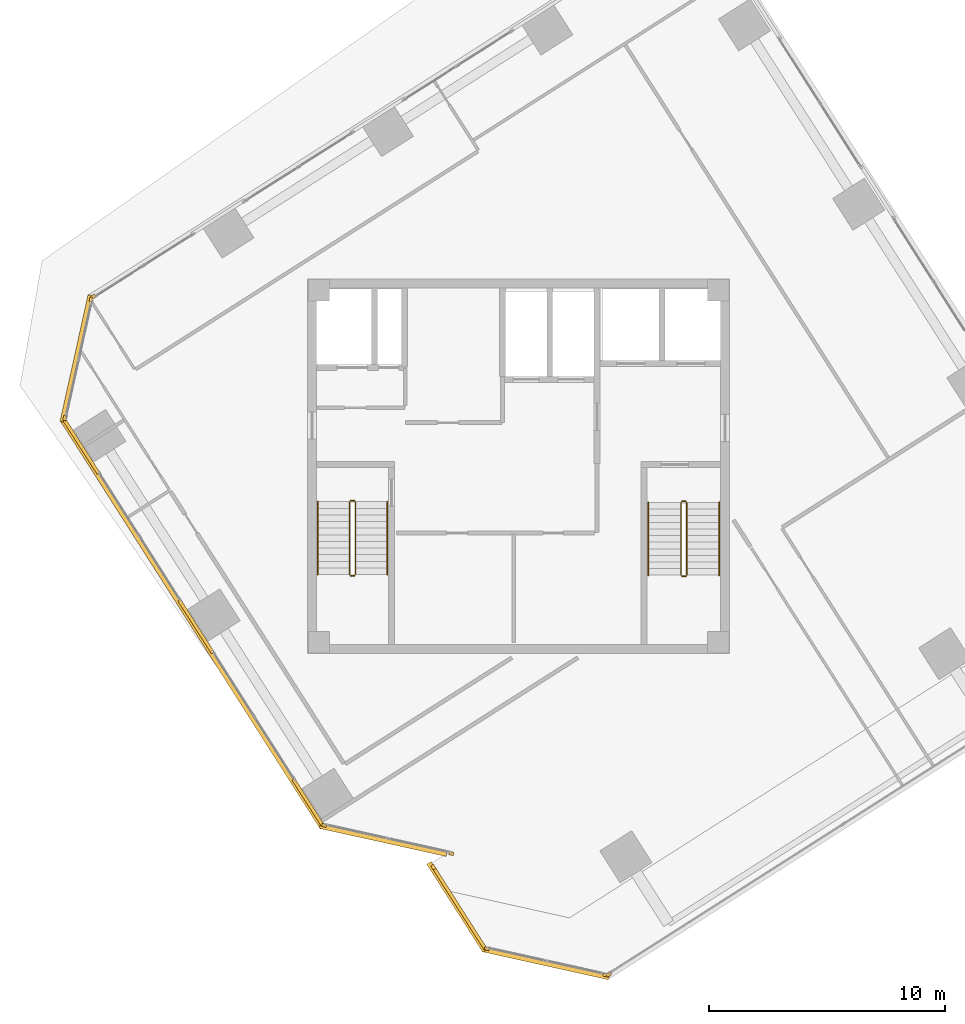
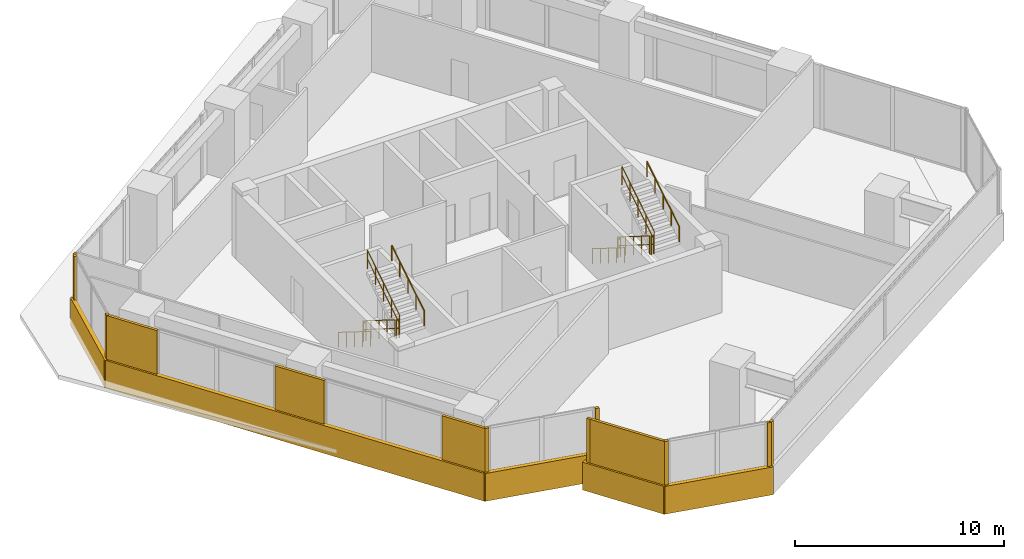
# One storey, part 13 of 15: 18 coverings, 12 railings.
"""IFC4 building model written with IfcOpenShell, lengths in metres."""

from ifc_helpers import new_model, si_unit, direction, frame, origin, origin_2d, place, context, subcontext, project, spatial, rectangle, circle, extrude, source, transform, mapped, material, layer, layer_set, type_object, element, save


model = new_model("IFC4")

# Units and contexts
model_context = context("Model", 3, precision=1e-05, world=origin(), true_north=direction((0.0, 1.0)))
body_context = subcontext(model_context, "Body", "Model", "MODEL_VIEW")
ifc_project = project(units=[si_unit("LENGTHUNIT", "METRE"), si_unit("AREAUNIT", "SQUARE_METRE"), si_unit("VOLUMEUNIT", "CUBIC_METRE"), si_unit("PLANEANGLEUNIT", "RADIAN"), si_unit("MASSUNIT", "GRAM", prefix="KILO")], contexts=[model_context])

# Site, building, storey
site_placement = place(None, origin())
site = spatial("IfcSite", under=ifc_project, at=site_placement, CompositionType="ELEMENT")
building_placement = place(site_placement, origin())
building = spatial("IfcBuilding", under=site, at=building_placement, Name="Torre Montelarca", CompositionType="ELEMENT")
storey_placement = place(building_placement, frame((0.0, 0.0, 307.199951171875)))
storey = spatial("IfcBuildingStorey", under=building, at=storey_placement, Name="L69", CompositionType="ELEMENT", Elevation=307.199951171875)

# Railings
ifc_material_1 = material(Name="Powder-coated steel ASTM A500 Grade C", Category="steel")
railing_type_1 = type_object("IfcRailingType", Name="RL-GUARD-1100", PredefinedType="BALUSTRADE", material=ifc_material_1)
railing_1_placement = place(storey_placement, frame((10.85009765625, 30.5, 0.175048828125)))
element("IfcRailing", 1, at=railing_1_placement, inside=storey, type_object=railing_type_1, Name="L69 ST1 stair guard 1", PredefinedType="BALUSTRADE", context=body_context, shape_type="SweptSolid", body=[
    extrude(circle(Radius=0.02392578125, at=origin_2d()), frame((0.0, 0.0, 1.076171875), z_axis=(0.0, -0.847998304005, 0.529998940003), x_axis=(1.0, 0.0, 0.0)), (0.0, 0.0, 1.0), 3.632080078125),
    extrude(circle(Radius=0.02099609375, at=origin_2d()), frame((0.0, 0.0, 0.572021484375), z_axis=(0.0, -0.847998304005, 0.529998940003), x_axis=(1.0, 0.0, 0.0)), (0.0, 0.0, 1.0), 3.632080078125),
    extrude(circle(Radius=0.02099609375, at=origin_2d()), origin(), (0.0, 0.0, 1.0), 1.052001953125),
    extrude(circle(Radius=0.02099609375, at=origin_2d()), frame((0.0, -0.77001953125, 0.481201171875)), (0.0, 0.0, 1.0), 1.052001953125),
    extrude(circle(Radius=0.02099609375, at=origin_2d()), frame((0.0, -1.5400390625, 0.96240234375)), (0.0, 0.0, 1.0), 1.052001953125),
    extrude(circle(Radius=0.02099609375, at=origin_2d()), frame((0.0, -2.31005859375, 1.44384765625)), (0.0, 0.0, 1.0), 1.052001953125),
    extrude(circle(Radius=0.02099609375, at=origin_2d()), frame((0.0, -3.080078125, 1.925048828125)), (0.0, 0.0, 1.0), 1.052001953125),
])
railing_2_placement = place(storey_placement, frame((10.89990234375, 27.3701171875, 2.10009765625)))
element("IfcRailing", 2, at=railing_2_placement, inside=storey, type_object=railing_type_1, Name="L69 ST1 stair guard 2", PredefinedType="BALUSTRADE", context=body_context, shape_type="SweptSolid", body=[
    extrude(circle(Radius=0.02392578125, at=origin_2d()), frame((0.0, 0.0, 1.076171875), z_axis=(1.0, 0.0, 0.0), x_axis=(0.0, 1.0, 0.0)), (0.0, 0.0, 1.0), 0.150146484375),
    extrude(circle(Radius=0.02099609375, at=origin_2d()), frame((0.0, 0.0, 0.572021484375), z_axis=(1.0, 0.0, 0.0), x_axis=(0.0, 1.0, 0.0)), (0.0, 0.0, 1.0), 0.150146484375),
    extrude(circle(Radius=0.02099609375, at=origin_2d()), origin(), (0.0, 0.0, 1.0), 1.052001953125),
    extrude(circle(Radius=0.02099609375, at=origin_2d()), frame((0.150146484375, 0.0, 0.0)), (0.0, 0.0, 1.0), 1.052001953125),
])
railing_3_placement = place(storey_placement, frame((11.10009765625, 27.419921875, 2.275146484375)))
element("IfcRailing", 3, at=railing_3_placement, inside=storey, type_object=railing_type_1, Name="L69 ST1 stair guard 3", PredefinedType="BALUSTRADE", context=body_context, shape_type="SweptSolid", body=[
    extrude(circle(Radius=0.02392578125, at=origin_2d()), frame((0.0, 0.0, 1.076171875), z_axis=(0.0, 0.848028513186, 0.529950602248), x_axis=(-1.0, 0.0, 0.0)), (0.0, 0.0, 1.0), 3.632080078125),
    extrude(circle(Radius=0.02099609375, at=origin_2d()), frame((0.0, 0.0, 0.572021484375), z_axis=(0.0, 0.848028513186, 0.529950602248), x_axis=(-1.0, 0.0, 0.0)), (0.0, 0.0, 1.0), 3.632080078125),
    extrude(circle(Radius=0.02099609375, at=origin_2d()), origin(), (0.0, 0.0, 1.0), 1.052001953125),
    extrude(circle(Radius=0.02099609375, at=origin_2d()), frame((0.0, 0.77001953125, 0.481201171875)), (0.0, 0.0, 1.0), 1.052001953125),
    extrude(circle(Radius=0.02099609375, at=origin_2d()), frame((0.0, 1.5400390625, 0.96240234375)), (0.0, 0.0, 1.0), 1.052001953125),
    extrude(circle(Radius=0.02099609375, at=origin_2d()), frame((0.0, 2.31005859375, 1.443603515625)), (0.0, 0.0, 1.0), 1.052001953125),
    extrude(circle(Radius=0.02099609375, at=origin_2d()), frame((0.0, 3.080078125, 1.9248046875)), (0.0, 0.0, 1.0), 1.052001953125),
])
railing_4_placement = place(storey_placement, frame((10.89990234375, 30.550048828125, 0.0)))
element("IfcRailing", 4, at=railing_4_placement, inside=storey, type_object=railing_type_1, Name="L69 ST1 stair guard 4", PredefinedType="BALUSTRADE", context=body_context, shape_type="SweptSolid", body=[
    extrude(circle(Radius=0.02392578125, at=origin_2d()), frame((0.0, 0.0, 1.076171875), z_axis=(1.0, 0.0, 0.0), x_axis=(0.0, 1.0, 0.0)), (0.0, 0.0, 1.0), 0.150146484375),
    extrude(circle(Radius=0.02099609375, at=origin_2d()), frame((0.0, 0.0, 0.572021484375), z_axis=(1.0, 0.0, 0.0), x_axis=(0.0, 1.0, 0.0)), (0.0, 0.0, 1.0), 0.150146484375),
    extrude(circle(Radius=0.02099609375, at=origin_2d()), origin(), (0.0, 0.0, 1.0), 1.052001953125),
    extrude(circle(Radius=0.02099609375, at=origin_2d()), frame((0.150146484375, 0.0, 0.0)), (0.0, 0.0, 1.0), 1.052001953125),
])
railing_5_placement = place(storey_placement, frame((24.8701171875, 30.469970703125, 0.175048828125)))
element("IfcRailing", 5, at=railing_5_placement, inside=storey, type_object=railing_type_1, Name="L69 ST2 stair guard 1", PredefinedType="BALUSTRADE", context=body_context, shape_type="SweptSolid", body=[
    extrude(circle(Radius=0.02392578125, at=origin_2d()), frame((0.0, 0.0, 1.076171875), z_axis=(0.0, -0.847998304005, 0.529998940003), x_axis=(1.0, 0.0, 0.0)), (0.0, 0.0, 1.0), 3.632080078125),
    extrude(circle(Radius=0.02099609375, at=origin_2d()), frame((0.0, 0.0, 0.572021484375), z_axis=(0.0, -0.847998304005, 0.529998940003), x_axis=(1.0, 0.0, 0.0)), (0.0, 0.0, 1.0), 3.632080078125),
    extrude(circle(Radius=0.02099609375, at=origin_2d()), origin(), (0.0, 0.0, 1.0), 1.052001953125),
    extrude(circle(Radius=0.02099609375, at=origin_2d()), frame((0.0, -0.77001953125, 0.481201171875)), (0.0, 0.0, 1.0), 1.052001953125),
    extrude(circle(Radius=0.02099609375, at=origin_2d()), frame((0.0, -1.5400390625, 0.96240234375)), (0.0, 0.0, 1.0), 1.052001953125),
    extrude(circle(Radius=0.02099609375, at=origin_2d()), frame((0.0, -2.31005859375, 1.44384765625)), (0.0, 0.0, 1.0), 1.052001953125),
    extrude(circle(Radius=0.02099609375, at=origin_2d()), frame((0.0, -3.080078125, 1.925048828125)), (0.0, 0.0, 1.0), 1.052001953125),
])
railing_6_placement = place(storey_placement, frame((24.919921875, 27.340087890625, 2.10009765625)))
element("IfcRailing", 6, at=railing_6_placement, inside=storey, type_object=railing_type_1, Name="L69 ST2 stair guard 2", PredefinedType="BALUSTRADE", context=body_context, shape_type="SweptSolid", body=[
    extrude(circle(Radius=0.02392578125, at=origin_2d()), frame((0.0, 0.0, 1.076171875), z_axis=(1.0, 0.0, 0.0), x_axis=(0.0, 1.0, 0.0)), (0.0, 0.0, 1.0), 0.150146484375),
    extrude(circle(Radius=0.02099609375, at=origin_2d()), frame((0.0, 0.0, 0.572021484375), z_axis=(1.0, 0.0, 0.0), x_axis=(0.0, 1.0, 0.0)), (0.0, 0.0, 1.0), 0.150146484375),
    extrude(circle(Radius=0.02099609375, at=origin_2d()), origin(), (0.0, 0.0, 1.0), 1.052001953125),
    extrude(circle(Radius=0.02099609375, at=origin_2d()), frame((0.150146484375, 0.0, 0.0)), (0.0, 0.0, 1.0), 1.052001953125),
])
railing_7_placement = place(storey_placement, frame((25.1201171875, 27.389892578125, 2.275146484375)))
element("IfcRailing", 7, at=railing_7_placement, inside=storey, type_object=railing_type_1, Name="L69 ST2 stair guard 3", PredefinedType="BALUSTRADE", context=body_context, shape_type="SweptSolid", body=[
    extrude(circle(Radius=0.02392578125, at=origin_2d()), frame((0.0, 0.0, 1.076171875), z_axis=(0.0, 0.848028513186, 0.529950602248), x_axis=(-1.0, 0.0, 0.0)), (0.0, 0.0, 1.0), 3.632080078125),
    extrude(circle(Radius=0.02099609375, at=origin_2d()), frame((0.0, 0.0, 0.572021484375), z_axis=(0.0, 0.848028513186, 0.529950602248), x_axis=(-1.0, 0.0, 0.0)), (0.0, 0.0, 1.0), 3.632080078125),
    extrude(circle(Radius=0.02099609375, at=origin_2d()), origin(), (0.0, 0.0, 1.0), 1.052001953125),
    extrude(circle(Radius=0.02099609375, at=origin_2d()), frame((0.0, 0.77001953125, 0.481201171875)), (0.0, 0.0, 1.0), 1.052001953125),
    extrude(circle(Radius=0.02099609375, at=origin_2d()), frame((0.0, 1.5400390625, 0.96240234375)), (0.0, 0.0, 1.0), 1.052001953125),
    extrude(circle(Radius=0.02099609375, at=origin_2d()), frame((0.0, 2.31005859375, 1.443603515625)), (0.0, 0.0, 1.0), 1.052001953125),
    extrude(circle(Radius=0.02099609375, at=origin_2d()), frame((0.0, 3.080078125, 1.9248046875)), (0.0, 0.0, 1.0), 1.052001953125),
])
railing_8_placement = place(storey_placement, frame((24.919921875, 30.52001953125, 0.0)))
element("IfcRailing", 8, at=railing_8_placement, inside=storey, type_object=railing_type_1, Name="L69 ST2 stair guard 4", PredefinedType="BALUSTRADE", context=body_context, shape_type="SweptSolid", body=[
    extrude(circle(Radius=0.02392578125, at=origin_2d()), frame((0.0, 0.0, 1.076171875), z_axis=(1.0, 0.0, 0.0), x_axis=(0.0, 1.0, 0.0)), (0.0, 0.0, 1.0), 0.150146484375),
    extrude(circle(Radius=0.02099609375, at=origin_2d()), frame((0.0, 0.0, 0.572021484375), z_axis=(1.0, 0.0, 0.0), x_axis=(0.0, 1.0, 0.0)), (0.0, 0.0, 1.0), 0.150146484375),
    extrude(circle(Radius=0.02099609375, at=origin_2d()), origin(), (0.0, 0.0, 1.0), 1.052001953125),
    extrude(circle(Radius=0.02099609375, at=origin_2d()), frame((0.150146484375, 0.0, 0.0)), (0.0, 0.0, 1.0), 1.052001953125),
])
ifc_material_2 = material(Name="Brushed stainless steel AISI 316", Category="steel")
railing_type_2 = type_object("IfcRailingType", Name="RL-HANDRAIL-900", PredefinedType="HANDRAIL", material=ifc_material_2)
railing_9_placement = place(storey_placement, frame((9.5, 30.5, 0.175048828125)))
element("IfcRailing", 9, at=railing_9_placement, inside=storey, type_object=railing_type_2, Name="L69 ST1 stair handrail 1", PredefinedType="HANDRAIL", context=body_context, shape_type="SweptSolid", body=[
    extrude(circle(Radius=0.02392578125, at=origin_2d()), frame((0.0, 0.0, 0.8759765625), z_axis=(0.0, -0.847998304005, 0.529998940003), x_axis=(1.0, 0.0, 0.0)), (0.0, 0.0, 1.0), 3.632080078125),
    extrude(circle(Radius=0.02099609375, at=origin_2d()), origin(), (0.0, 0.0, 1.0), 0.851806640625),
    extrude(circle(Radius=0.02099609375, at=origin_2d()), frame((0.0, -0.77001953125, 0.481201171875)), (0.0, 0.0, 1.0), 0.851806640625),
    extrude(circle(Radius=0.02099609375, at=origin_2d()), frame((0.0, -1.5400390625, 0.96240234375)), (0.0, 0.0, 1.0), 0.851806640625),
    extrude(circle(Radius=0.02099609375, at=origin_2d()), frame((0.0, -2.31005859375, 1.44384765625)), (0.0, 0.0, 1.0), 0.851806640625),
    extrude(circle(Radius=0.02099609375, at=origin_2d()), frame((0.0, -3.080078125, 1.925048828125)), (0.0, 0.0, 1.0), 0.851806640625),
])
railing_10_placement = place(storey_placement, frame((12.449951171875, 27.419921875, 2.275146484375)))
element("IfcRailing", 10, at=railing_10_placement, inside=storey, type_object=railing_type_2, Name="L69 ST1 stair handrail 2", PredefinedType="HANDRAIL", context=body_context, shape_type="SweptSolid", body=[
    extrude(circle(Radius=0.02392578125, at=origin_2d()), frame((0.0, 0.0, 0.8759765625), z_axis=(0.0, 0.848028513186, 0.529950602248), x_axis=(-1.0, 0.0, 0.0)), (0.0, 0.0, 1.0), 3.632080078125),
    extrude(circle(Radius=0.02099609375, at=origin_2d()), origin(), (0.0, 0.0, 1.0), 0.851806640625),
    extrude(circle(Radius=0.02099609375, at=origin_2d()), frame((0.0, 0.77001953125, 0.481201171875)), (0.0, 0.0, 1.0), 0.851806640625),
    extrude(circle(Radius=0.02099609375, at=origin_2d()), frame((0.0, 1.5400390625, 0.96240234375)), (0.0, 0.0, 1.0), 0.851806640625),
    extrude(circle(Radius=0.02099609375, at=origin_2d()), frame((0.0, 2.31005859375, 1.443603515625)), (0.0, 0.0, 1.0), 0.851806640625),
    extrude(circle(Radius=0.02099609375, at=origin_2d()), frame((0.0, 3.080078125, 1.9248046875)), (0.0, 0.0, 1.0), 0.851806640625),
])
railing_11_placement = place(storey_placement, frame((23.489990234375, 30.469970703125, 0.175048828125)))
element("IfcRailing", 11, at=railing_11_placement, inside=storey, type_object=railing_type_2, Name="L69 ST2 stair handrail 1", PredefinedType="HANDRAIL", context=body_context, shape_type="SweptSolid", body=[
    extrude(circle(Radius=0.02392578125, at=origin_2d()), frame((0.0, 0.0, 0.8759765625), z_axis=(0.0, -0.847998304005, 0.529998940003), x_axis=(1.0, 0.0, 0.0)), (0.0, 0.0, 1.0), 3.632080078125),
    extrude(circle(Radius=0.02099609375, at=origin_2d()), origin(), (0.0, 0.0, 1.0), 0.851806640625),
    extrude(circle(Radius=0.02099609375, at=origin_2d()), frame((0.0, -0.77001953125, 0.481201171875)), (0.0, 0.0, 1.0), 0.851806640625),
    extrude(circle(Radius=0.02099609375, at=origin_2d()), frame((0.0, -1.5400390625, 0.96240234375)), (0.0, 0.0, 1.0), 0.851806640625),
    extrude(circle(Radius=0.02099609375, at=origin_2d()), frame((0.0, -2.31005859375, 1.44384765625)), (0.0, 0.0, 1.0), 0.851806640625),
    extrude(circle(Radius=0.02099609375, at=origin_2d()), frame((0.0, -3.080078125, 1.925048828125)), (0.0, 0.0, 1.0), 0.851806640625),
])
railing_12_placement = place(storey_placement, frame((26.5, 27.389892578125, 2.275146484375)))
element("IfcRailing", 12, at=railing_12_placement, inside=storey, type_object=railing_type_2, Name="L69 ST2 stair handrail 2", PredefinedType="HANDRAIL", context=body_context, shape_type="SweptSolid", body=[
    extrude(circle(Radius=0.02392578125, at=origin_2d()), frame((0.0, 0.0, 0.8759765625), z_axis=(0.0, 0.848028513186, 0.529950602248), x_axis=(-1.0, 0.0, 0.0)), (0.0, 0.0, 1.0), 3.632080078125),
    extrude(circle(Radius=0.02099609375, at=origin_2d()), origin(), (0.0, 0.0, 1.0), 0.851806640625),
    extrude(circle(Radius=0.02099609375, at=origin_2d()), frame((0.0, 0.77001953125, 0.481201171875)), (0.0, 0.0, 1.0), 0.851806640625),
    extrude(circle(Radius=0.02099609375, at=origin_2d()), frame((0.0, 1.5400390625, 0.96240234375)), (0.0, 0.0, 1.0), 0.851806640625),
    extrude(circle(Radius=0.02099609375, at=origin_2d()), frame((0.0, 2.31005859375, 1.443603515625)), (0.0, 0.0, 1.0), 0.851806640625),
    extrude(circle(Radius=0.02099609375, at=origin_2d()), frame((0.0, 3.080078125, 1.9248046875)), (0.0, 0.0, 1.0), 0.851806640625),
])

# Coverings
ifc_material_3 = material(Name="Bush-hammered warm white precast concrete C45/55", Category="concrete")
ifc_layer = layer(ifc_material_3, 0.139892578125, Name="Bush-hammered warm white precast concrete C45/55", Category="concrete")
ifc_layer_set = layer_set([ifc_layer], Name="Bush-hammered warm white precast concrete C45/55")
covering_type = type_object("IfcCoveringType", Name="COV-TRAY-CLAD", PredefinedType="CLADDING", material=ifc_layer_set)
shared_shape_1 = source(origin(), body_context, "Body", "SweptSolid", [
    extrude(rectangle(XDim=0.199951171875, YDim=0.139892578125, at=origin_2d()), origin(), (0.0, 0.0, 1.0), 3.719970703125),
])
for number, where, z_axis, x_axis, name in (
    (13, (9.775390625, 16.802001953125, 0.0), (0.0, 0.0, 1.0), (0.976296762631, -0.216436206021, 0.0), "L69 Architectural Column Pier Cladding E02-1"),
    (14, (15.154541015625, 15.609375, 0.0), (0.0, 0.0, 1.0), (0.976296762631, -0.216436206021, 0.0), "L69 Architectural Column Pier Cladding E02-2"),
    (15, (14.3935546875, 15.032470703125, 0.0), (0.0, 0.0, 1.0), (0.537312856242, -0.843383005826, 0.0), "L69 Architectural Column Pier Cladding E04-1"),
    (16, (16.65771484375, 11.582275390625, 0.0), (0.0, 0.0, 1.0), (0.976299029092, -0.216425982253, 0.0), "L69 Architectural Column Pier Cladding E05-1"),
    (17, (21.677978515625, 10.469482421875, 0.0), (0.0, 0.0, 1.0), (0.976299029092, -0.216425982253, 0.0), "L69 Architectural Column Pier Cladding E05-2"),
    (18, (21.821044921875, 10.494384765625, 0.0), (0.0, 0.0, 1.0), (0.843390508047, 0.537301080342, 0.0), "L69 Architectural Column Pier Cladding E06-1"),
    (19, (-0.0087890625, 39.17724609375, 0.0), (0.0, 0.0, 1.0), (-0.843390508047, -0.537301080342, 0.0), "L69 Architectural Column Pier Cladding E10-5"),
    (20, (-0.09228515625, 39.058349609375, 0.0), (0.0, 0.0, 1.0), (-0.21644813372, -0.976294118291, 0.0), "L69 Architectural Column Pier Cladding E11-1"),
    (21, (-1.205078125, 34.037841796875, 0.0), (0.0, 0.0, 1.0), (-0.21644813372, -0.976294118291, 0.0), "L69 Architectural Column Pier Cladding E11-2"),
):
    element("IfcCovering", number, at=place(storey_placement, frame(where, z_axis=z_axis, x_axis=x_axis)), inside=storey, type_object=covering_type, Name=name, PredefinedType="CLADDING", context=body_context, shape_type="MappedRepresentation", body=[
        mapped(shared_shape_1, transform((0.0, 0.0, 0.0), scale=1.0)),
    ])
shared_shape_2 = source(origin(), body_context, "Body", "SweptSolid", [
    extrude(rectangle(XDim=2.659912109375, YDim=0.139892578125, at=origin_2d()), origin(), (0.0, 0.0, 1.0), 3.719970703125),
])
covering_1_placement = place(storey_placement, frame((4.345703125, 25.221435546875, 0.0), z_axis=(0.0, 0.0, 1.0), x_axis=(0.537301080342, -0.843390508047, 0.0)))
element("IfcCovering", 22, at=covering_1_placement, inside=storey, type_object=covering_type, Name="L69 Architectural Column Pier Cladding E01-2", PredefinedType="CLADDING", context=body_context, shape_type="MappedRepresentation", body=[
    mapped(shared_shape_2, transform((0.0, 0.0, 0.0), scale=1.0)),
])
shared_shape_3 = source(origin(), body_context, "Body", "SweptSolid", [
    extrude(rectangle(XDim=5.493896484375, YDim=0.219970703125, at=origin_2d()), origin(), (0.0, 0.0, 1.0), 1.6201171875),
])
for number, where, z_axis, x_axis, name in (
    (23, (12.2724609375, 16.186767578125, -0.449951171875), (0.0, 0.0, 1.0), (0.97629751813, -0.216432798101, 0.0), "L69 Architectural White Spandrel Tray Band TRYBOT-02"),
    (24, (-0.707275390625, 36.56103515625, -0.449951171875), (0.0, 0.0, 1.0), (-0.216449837674, -0.976293740516, 0.0), "L69 Architectural White Spandrel Tray Band TRYBOT-11"),
):
    element("IfcCovering", number, at=place(storey_placement, frame(where, z_axis=z_axis, x_axis=x_axis)), inside=storey, type_object=covering_type, Name=name, PredefinedType="CLADDING", context=body_context, shape_type="MappedRepresentation", body=[
        mapped(shared_shape_3, transform((0.0, 0.0, 0.0), scale=1.0)),
    ])
shared_shape_4 = source(origin(), body_context, "Body", "SweptSolid", [
    extrude(rectangle(XDim=2.714111328125, YDim=0.139892578125, at=origin_2d()), origin(), (0.0, 0.0, 1.0), 3.719970703125),
])
covering_2_placement = place(storey_placement, frame((-0.504638671875, 32.834716796875, 0.0), z_axis=(0.0, 0.0, 1.0), x_axis=(0.537301080342, -0.843390508047, 0.0)))
element("IfcCovering", 25, at=covering_2_placement, inside=storey, type_object=covering_type, Name="L69 Architectural Column Pier Cladding E01-1", PredefinedType="CLADDING", context=body_context, shape_type="MappedRepresentation", body=[
    mapped(shared_shape_4, transform((0.0, 0.0, 0.0), scale=1.0)),
])
shared_shape_5 = source(origin(), body_context, "Body", "SweptSolid", [
    extrude(rectangle(XDim=2.314208984375, YDim=0.139892578125, at=origin_2d()), origin(), (0.0, 0.0, 1.0), 3.719970703125),
])
covering_3_placement = place(storey_placement, frame((9.08837890625, 17.776611328125, 0.0), z_axis=(0.0, 0.0, 1.0), x_axis=(0.537301080342, -0.843390508047, 0.0)))
element("IfcCovering", 26, at=covering_3_placement, inside=storey, type_object=covering_type, Name="L69 Architectural Column Pier Cladding E01-3", PredefinedType="CLADDING", context=body_context, shape_type="MappedRepresentation", body=[
    mapped(shared_shape_5, transform((0.0, 0.0, 0.0), scale=1.0)),
])
shared_shape_6 = source(origin(), body_context, "Body", "SweptSolid", [
    extrude(rectangle(XDim=4.09228515625, YDim=0.139892578125, at=origin_2d()), origin(), (0.0, 0.0, 1.0), 3.719970703125),
])
covering_4_placement = place(storey_placement, frame((15.492919921875, 13.306884765625, 0.0), z_axis=(0.0, 0.0, 1.0), x_axis=(0.537312856242, -0.843383005826, 0.0)))
element("IfcCovering", 27, at=covering_4_placement, inside=storey, type_object=covering_type, Name="L69 Architectural Column Pier Cladding E04-2", PredefinedType="CLADDING", context=body_context, shape_type="MappedRepresentation", body=[
    mapped(shared_shape_6, transform((0.0, 0.0, 0.0), scale=1.0)),
])
shared_shape_7 = source(origin(), body_context, "Body", "SweptSolid", [
    extrude(rectangle(XDim=20.52001953125, YDim=0.219970703125, at=origin_2d()), origin(), (0.0, 0.0, 1.0), 1.6201171875),
])
covering_5_placement = place(storey_placement, frame((4.1875, 25.35791015625, -0.449951171875), z_axis=(0.0, 0.0, 1.0), x_axis=(0.53729813635, -0.843392383576, 0.0)))
element("IfcCovering", 28, at=covering_5_placement, inside=storey, type_object=covering_type, Name="L69 Architectural White Spandrel Tray Band TRYBOT-01", PredefinedType="CLADDING", context=body_context, shape_type="MappedRepresentation", body=[
    mapped(shared_shape_7, transform((0.0, 0.0, 0.0), scale=1.0)),
])
shared_shape_8 = source(origin(), body_context, "Body", "SweptSolid", [
    extrude(rectangle(XDim=4.419921875, YDim=0.219970703125, at=origin_2d()), origin(), (0.0, 0.0, 1.0), 1.6201171875),
])
covering_6_placement = place(storey_placement, frame((15.39501953125, 13.348876953125, -0.449951171875), z_axis=(0.0, 0.0, 1.0), x_axis=(0.537299608347, -0.843391445813, 0.0)))
element("IfcCovering", 29, at=covering_6_placement, inside=storey, type_object=covering_type, Name="L69 Architectural White Spandrel Tray Band TRYBOT-04", PredefinedType="CLADDING", context=body_context, shape_type="MappedRepresentation", body=[
    mapped(shared_shape_8, transform((0.0, 0.0, 0.0), scale=1.0)),
])
shared_shape_9 = source(origin(), body_context, "Body", "SweptSolid", [
    extrude(rectangle(XDim=5.494140625, YDim=0.219970703125, at=origin_2d()), origin(), (0.0, 0.0, 1.0), 1.6201171875),
])
covering_7_placement = place(storey_placement, frame((19.15478515625, 10.96728515625, -0.449951171875), z_axis=(0.0, 0.0, 1.0), x_axis=(0.976298651356, -0.216427686216, 0.0)))
element("IfcCovering", 30, at=covering_7_placement, inside=storey, type_object=covering_type, Name="L69 Architectural White Spandrel Tray Band TRYBOT-05", PredefinedType="CLADDING", context=body_context, shape_type="MappedRepresentation", body=[
    mapped(shared_shape_9, transform((0.0, 0.0, 0.0), scale=1.0)),
])

save(model, "model.ifc")
